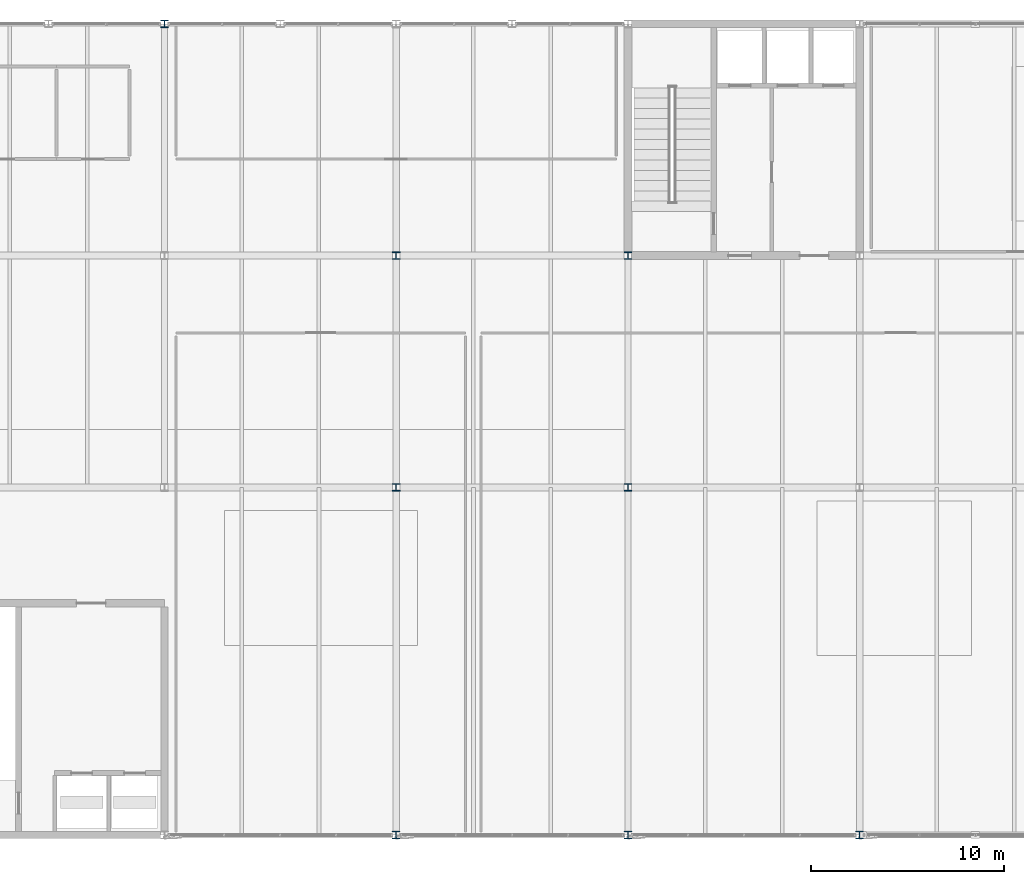
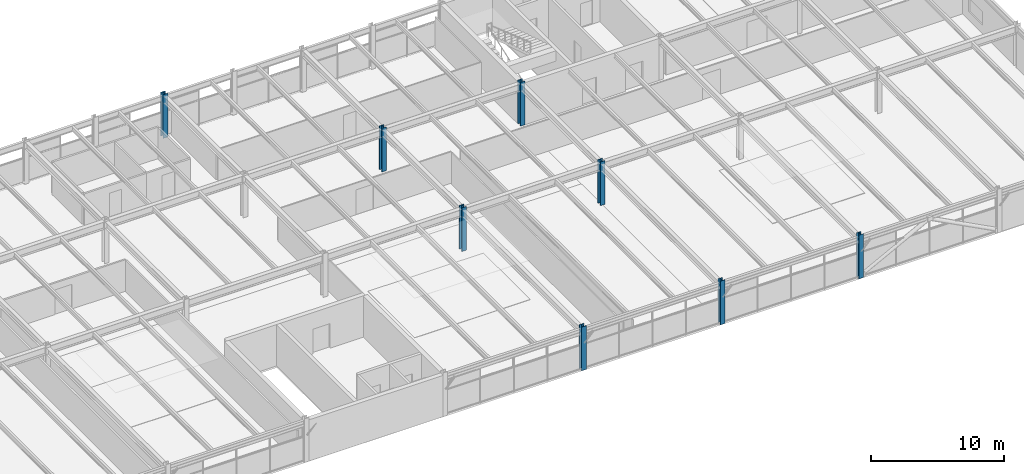
# One storey, part 4 of 52: 8 columns.
"""IFC4 building model written with IfcOpenShell, lengths in metres."""

from ifc_helpers import new_model, si_unit, direction, frame, origin, origin_2d, place, context, subcontext, project, spatial, i_section, extrude, material, material_profile, profile_set, type_object, element, save


model = new_model("IFC4")

# Units and contexts
model_context = context("Model", 3, precision=1e-05, world=origin(), true_north=direction((0.0, 1.0)))
body_context = subcontext(model_context, "Body", "Model", "MODEL_VIEW")
ifc_project = project(units=[si_unit("LENGTHUNIT", "METRE"), si_unit("AREAUNIT", "SQUARE_METRE"), si_unit("VOLUMEUNIT", "CUBIC_METRE"), si_unit("PLANEANGLEUNIT", "RADIAN"), si_unit("MASSUNIT", "GRAM", prefix="KILO")], contexts=[model_context])

# Site, building, storey
site_placement = place(None, origin())
site = spatial("IfcSite", under=ifc_project, at=site_placement, CompositionType="ELEMENT")
building_placement = place(site_placement, origin())
building = spatial("IfcBuilding", under=site, at=building_placement, Name="Girod Span Mobility Hub", CompositionType="ELEMENT")
storey_placement = place(building_placement, frame((0.0, 0.0, 45.60009765625)))
storey = spatial("IfcBuildingStorey", under=building, at=storey_placement, Name="L11", CompositionType="ELEMENT", Elevation=45.60009765625)

# Columns
ifc_material_1 = material(Name="Steel A992 Grade 50", Category="steel")
ifc_material_profile_1 = material_profile(ifc_material_1, i_section(OverallWidth=0.39404296875, OverallDepth=0.375, WebThickness=0.017333984375, FlangeThickness=0.027587890625, FilletRadius=0.01806640625, at=origin_2d()), Name="W14X145")
ifc_profile_set_1 = profile_set([ifc_material_profile_1], Name="Steel A992 Grade 50")
column_type_1 = type_object("IfcColumnType", Name="COL-STL-W14X145", PredefinedType="COLUMN", material=ifc_profile_set_1)
for number, where, z_axis, x_axis, name in (
    (1, (96.0, 27.0, 0.0), (0.0, 0.0, 1.0), (1.0, 0.0, 0.0), "Column 9C L11"),
    (2, (108.0, 27.0, 0.0), (0.0, 0.0, 1.0), (1.0, 0.0, 0.0), "Column 10C L11"),
    (3, (120.0, 27.0, 0.0), (0.0, 0.0, 1.0), (1.0, 0.0, 0.0), "Column 11C L11"),
):
    element("IfcColumn", number, at=place(storey_placement, frame(where, z_axis=z_axis, x_axis=x_axis)), inside=storey, type_object=column_type_1, Name=name, PredefinedType="COLUMN", context=body_context, shape_type="SweptSolid", body=[
        extrude(i_section(OverallWidth=0.39404296875, OverallDepth=0.375, WebThickness=0.017333984375, FlangeThickness=0.027587890625, FilletRadius=0.01806640625, at=origin_2d()), origin(), (0.0, 0.0, 1.0), 4.0),
    ])
ifc_material_2 = material(Name="Steel A992 Grade 50", Category="steel")
ifc_material_profile_2 = material_profile(ifc_material_2, i_section(OverallWidth=0.39892578125, OverallDepth=0.39306640625, WebThickness=0.022705078125, FlangeThickness=0.03662109375, FilletRadius=0.01806640625, at=origin_2d()), Name="W14X193")
ifc_profile_set_2 = profile_set([ifc_material_profile_2], Name="Steel A992 Grade 50")
column_type_2 = type_object("IfcColumnType", Name="COL-STL-W14X193", PredefinedType="COLUMN", material=ifc_profile_set_2)
for number, where, z_axis, x_axis, name in (
    (4, (84.0, 69.0, 0.0), (0.0, 0.0, 1.0), (1.0, 0.0, 0.0), "Column 8F L11"),
    (5, (96.0, 45.0, 0.0), (0.0, 0.0, 1.0), (1.0, 0.0, 0.0), "Column 9D L11"),
    (6, (96.0, 57.0, 0.0), (0.0, 0.0, 1.0), (1.0, 0.0, 0.0), "Column 9E L11"),
    (7, (108.0, 45.0, 0.0), (0.0, 0.0, 1.0), (1.0, 0.0, 0.0), "Column 10D L11"),
    (8, (108.0, 57.0, 0.0), (0.0, 0.0, 1.0), (1.0, 0.0, 0.0), "Column 10E L11"),
):
    element("IfcColumn", number, at=place(storey_placement, frame(where, z_axis=z_axis, x_axis=x_axis)), inside=storey, type_object=column_type_2, Name=name, PredefinedType="COLUMN", context=body_context, shape_type="SweptSolid", body=[
        extrude(i_section(OverallWidth=0.39892578125, OverallDepth=0.39306640625, WebThickness=0.022705078125, FlangeThickness=0.03662109375, FilletRadius=0.01806640625, at=origin_2d()), origin(), (0.0, 0.0, 1.0), 4.0),
    ])

save(model, "model.ifc")
